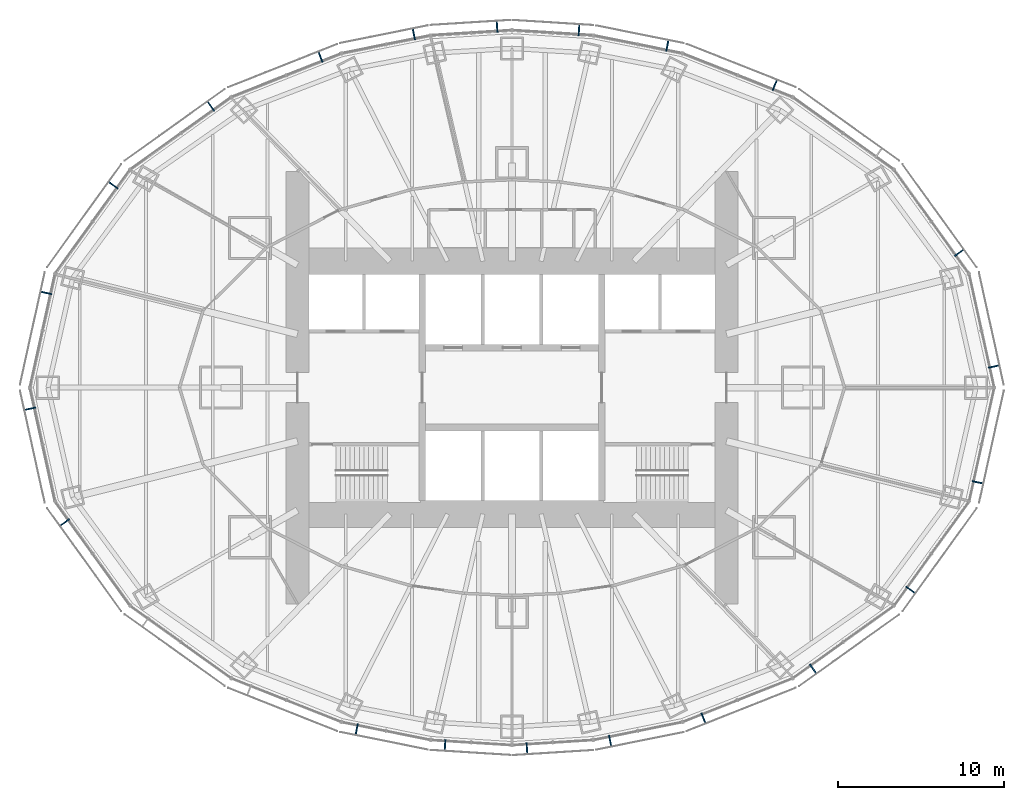
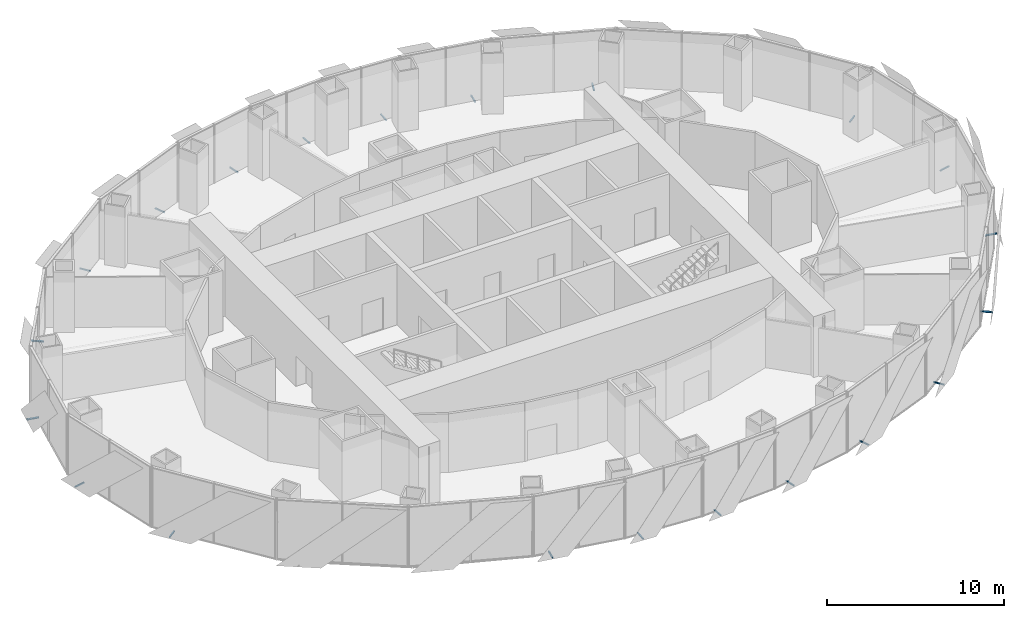
# One storey, part 14 of 18: 21 discrete accessories.
"""IFC4 building model written with IfcOpenShell, lengths in metres."""

from ifc_helpers import new_model, si_unit, direction, frame, origin, origin_2d, place, context, subcontext, project, spatial, rectangle, extrude, element, save


model = new_model("IFC4")

# Units and contexts
model_context = context("Model", 3, precision=1e-05, world=origin(), true_north=direction((0.0, 1.0)))
body_context = subcontext(model_context, "Body", "Model", "MODEL_VIEW")
ifc_project = project(units=[si_unit("LENGTHUNIT", "METRE"), si_unit("AREAUNIT", "SQUARE_METRE"), si_unit("VOLUMEUNIT", "CUBIC_METRE"), si_unit("PLANEANGLEUNIT", "RADIAN"), si_unit("MASSUNIT", "GRAM", prefix="KILO")], contexts=[model_context])

# Site, building, storey
site_placement = place(None, origin())
site = spatial("IfcSite", under=ifc_project, at=site_placement, CompositionType="ELEMENT")
building_placement = place(site_placement, origin())
building = spatial("IfcBuilding", under=site, at=building_placement, Name="Lantaw Convention Tower", CompositionType="ELEMENT")
storey_placement = place(building_placement, frame((0.0, 0.0, 134.199951171875)))
storey = spatial("IfcBuildingStorey", under=building, at=storey_placement, Name="L31", CompositionType="ELEMENT", Elevation=134.199951171875)

# Discrete accessories
for number, where, z_axis, x_axis, name in (
    (1, (28.98486328125, 1.269775390625, -0.114990234375), (0.0, 0.0, 1.0), (-0.215546166174, 0.9764936509, 0.0), "Screen bracket"),
    (2, (26.900146484375, 8.111572265625, -0.114990234375), (0.0, 0.0, 1.0), (-0.584512597221, 0.811384633629, 0.0), "Screen bracket"),
    (3, (15.802978515625, 18.18798828125, -0.114990234375), (0.0, 0.0, 1.0), (-0.929547687544, 0.368701907483, 0.0), "Screen bracket"),
    (4, (9.339599609375, 20.56005859375, -0.114990234375), (0.0, 0.0, 1.0), (-0.980301514912, 0.197506809659, 0.0), "Screen bracket"),
    (5, (4.027099609375, 21.505859375, -0.114990234375), (0.0, 0.0, 1.0), (-0.998022035978, 0.062865059466, 0.0), "Screen bracket"),
    (6, (-0.89794921875, 21.702880859375, -0.114990234375), (0.0, 0.0, 1.0), (-0.998022035978, -0.062865059466, 0.0), "Screen bracket"),
    (7, (-5.903076171875, 21.25244140625, -0.114990234375), (0.0, 0.0, 1.0), (-0.980301514912, -0.197506809659, 0.0), "Screen bracket"),
    (8, (-11.517822265625, 19.887939453125, -0.114990234375), (0.0, 0.0, 1.0), (-0.929547687544, -0.368701907483, 0.0), "Screen bracket"),
    (9, (-18.10791015625, 16.922607421875, -0.114990234375), (0.0, 0.0, 1.0), (-0.813208325995, -0.581972695693, 0.0), "Screen bracket"),
    (10, (-23.9765625, 12.169677734375, -0.114990234375), (0.0, 0.0, 1.0), (-0.584512597221, -0.811384633629, 0.0), "Screen bracket"),
    (11, (-28.008056640625, 5.6953125, -0.114990234375), (0.0, 0.0, 1.0), (-0.215546166174, -0.9764936509, 0.0), "Screen bracket"),
    (12, (-28.98486328125, -1.269775390625, -0.114990234375), (0.0, 0.0, 1.0), (0.215546166174, -0.9764936509, 0.0), "Screen bracket"),
    (13, (-26.900146484375, -8.111572265625, -0.114990234375), (0.0, 0.0, 1.0), (0.584512597221, -0.811384633629, 0.0), "Screen bracket"),
    (14, (-9.339599609375, -20.56005859375, -0.114990234375), (0.0, 0.0, 1.0), (0.980301514912, -0.197506809659, 0.0), "Screen bracket"),
    (15, (-4.027099609375, -21.505859375, -0.114990234375), (0.0, 0.0, 1.0), (0.998022035978, -0.062865059466, 0.0), "Screen bracket"),
    (16, (0.89794921875, -21.702880859375, -0.114990234375), (0.0, 0.0, 1.0), (0.998022035978, 0.062865059466, 0.0), "Screen bracket"),
    (17, (5.903076171875, -21.25244140625, -0.114990234375), (0.0, 0.0, 1.0), (0.980301514912, 0.197506809659, 0.0), "Screen bracket"),
    (18, (11.517822265625, -19.887939453125, -0.114990234375), (0.0, 0.0, 1.0), (0.929547687544, 0.368701907483, 0.0), "Screen bracket"),
    (19, (18.10791015625, -16.922607421875, -0.114990234375), (0.0, 0.0, 1.0), (0.813208325995, 0.581972695693, 0.0), "Screen bracket"),
    (20, (23.9765625, -12.169677734375, -0.114990234375), (0.0, 0.0, 1.0), (0.584512597221, 0.811384633629, 0.0), "Screen bracket"),
    (21, (28.008056640625, -5.6953125, -0.114990234375), (0.0, 0.0, 1.0), (0.215546166174, 0.9764936509, 0.0), "Screen bracket"),
):
    element("IfcDiscreteAccessory", number, at=place(storey_placement, frame(where, z_axis=z_axis, x_axis=x_axis)), inside=storey, Name=name, PredefinedType="BRACKET", context=body_context, shape_type="SweptSolid", body=[
        extrude(rectangle(XDim=0.080078125, YDim=0.68798828125, at=origin_2d()), origin(), (0.0, 0.0, 1.0), 0.080078125),
    ])

save(model, "model.ifc")
